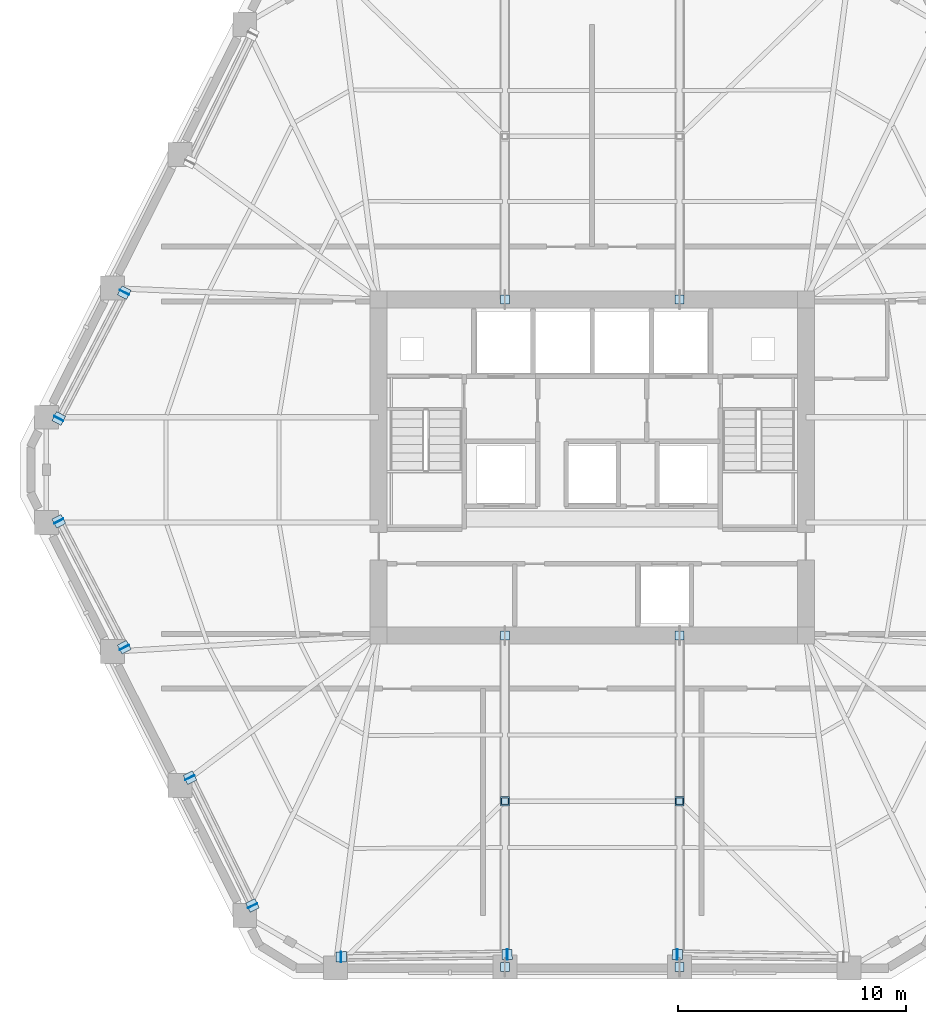
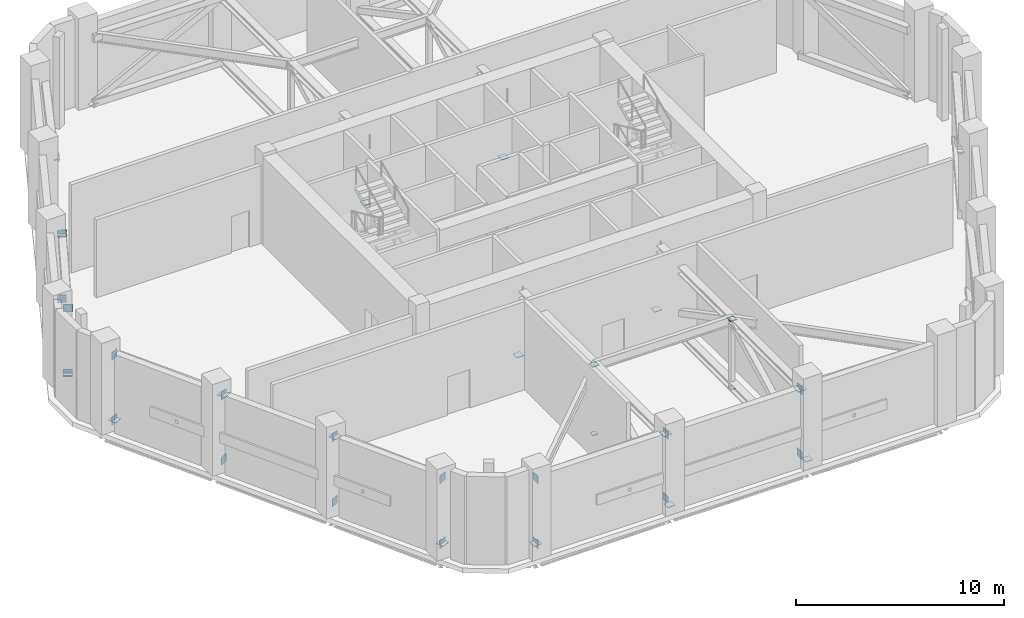
# One storey, part 7 of 15: 39 plates.
"""IFC4 building model written with IfcOpenShell, lengths in metres."""

from ifc_helpers import new_model, si_unit, direction, frame, origin, origin_2d, place, context, subcontext, project, spatial, rectangle, extrude, material, layer, layer_set, type_object, element, save


model = new_model("IFC4")

# Units and contexts
model_context = context("Model", 3, precision=1e-05, world=origin(), true_north=direction((0.0, 1.0)))
body_context = subcontext(model_context, "Body", "Model", "MODEL_VIEW")
ifc_project = project(units=[si_unit("LENGTHUNIT", "METRE"), si_unit("AREAUNIT", "SQUARE_METRE"), si_unit("VOLUMEUNIT", "CUBIC_METRE"), si_unit("PLANEANGLEUNIT", "RADIAN"), si_unit("MASSUNIT", "GRAM", prefix="KILO")], contexts=[model_context])

# Site, building, storey
site_placement = place(None, origin())
site = spatial("IfcSite", under=ifc_project, at=site_placement, CompositionType="ELEMENT")
building_placement = place(site_placement, origin())
building = spatial("IfcBuilding", under=site, at=building_placement, Name="Cinnabar Lancet Tower", CompositionType="ELEMENT")
storey_placement = place(building_placement, frame((0.0, 0.0, 148.10009765625)))
storey = spatial("IfcBuildingStorey", under=building, at=storey_placement, Name="L39", CompositionType="ELEMENT", Elevation=148.10009765625)

# Plates
ifc_material = material(Name="Structural steel S460", Category="steel")
ifc_layer = layer(ifc_material, 0.030029296875)
ifc_layer_set = layer_set([ifc_layer], Name="Structural steel S460")
plate_type = type_object("IfcPlateType", Name="STR-PL-CAP-25", PredefinedType="SHEET", material=ifc_layer_set)
for number, where, z_axis, x_axis, name in (
    (1, (28.568115234375, 11.258056640625, -0.02490234375), (0.0, 0.0, 1.0), (1.0, 0.0, 0.0), "Hollow section end cap plate CP-OTVP-L39-1B"),
    (2, (28.568115234375, 11.258056640625, 4.03466796875), (0.0, 0.0, 1.0), (1.0, 0.0, 0.0), "Hollow section end cap plate CP-OTVP-L39-1T"),
):
    element("IfcPlate", number, at=place(storey_placement, frame(where, z_axis=z_axis, x_axis=x_axis)), inside=storey, type_object=plate_type, Name=name, PredefinedType="SHEET", context=body_context, shape_type="SweptSolid", body=[
        extrude(rectangle(XDim=0.300048828125, YDim=0.300048828125, at=origin_2d()), origin(), (0.0, 0.0, 1.0), 0.030029296875),
    ])
for number, where, z_axis, x_axis, name in (
    (3, (28.568115234375, 18.52490234375, 0.19482421875), (0.0, 0.0, 1.0), (0.0, 1.0, 0.0), "Hollow section end cap plate CP-OTD-L39-1-1A"),
    (4, (28.568115234375, 11.258056640625, 4.03466796875), (0.0, 0.0, 1.0), (0.0, -1.0, 0.0), "Hollow section end cap plate CP-OTD-L39-1-1B"),
    (5, (28.568115234375, 3.991943359375, 0.19482421875), (0.0, 0.0, 1.0), (0.0, -1.0, 0.0), "Hollow section end cap plate CP-OTD-L39-1-2B"),
):
    element("IfcPlate", number, at=place(storey_placement, frame(where, z_axis=z_axis, x_axis=x_axis)), inside=storey, type_object=plate_type, Name=name, PredefinedType="SHEET", context=body_context, shape_type="SweptSolid", body=[
        extrude(rectangle(XDim=0.39990234375, YDim=0.39990234375, at=origin_2d()), origin(), (0.0, 0.0, 1.0), 0.030029296875),
    ])
for number, where, z_axis, x_axis, name in (
    (6, (36.23193359375, 11.258056640625, -0.02490234375), (0.0, 0.0, 1.0), (1.0, 0.0, 0.0), "Hollow section end cap plate CP-OTVP-L39-2B"),
    (7, (36.23193359375, 11.258056640625, 4.03466796875), (0.0, 0.0, 1.0), (1.0, 0.0, 0.0), "Hollow section end cap plate CP-OTVP-L39-2T"),
):
    element("IfcPlate", number, at=place(storey_placement, frame(where, z_axis=z_axis, x_axis=x_axis)), inside=storey, type_object=plate_type, Name=name, PredefinedType="SHEET", context=body_context, shape_type="SweptSolid", body=[
        extrude(rectangle(XDim=0.300048828125, YDim=0.300048828125, at=origin_2d()), origin(), (0.0, 0.0, 1.0), 0.030029296875),
    ])
for number, where, z_axis, x_axis, name in (
    (8, (36.23193359375, 18.52490234375, 0.19482421875), (0.0, 0.0, 1.0), (0.0, 1.0, 0.0), "Hollow section end cap plate CP-OTD-L39-2-1A"),
    (9, (36.23193359375, 11.258056640625, 4.03466796875), (0.0, 0.0, 1.0), (0.0, -1.0, 0.0), "Hollow section end cap plate CP-OTD-L39-2-1B"),
    (10, (36.23193359375, 3.991943359375, 0.19482421875), (0.0, 0.0, 1.0), (0.0, -1.0, 0.0), "Hollow section end cap plate CP-OTD-L39-2-2B"),
    (11, (36.23193359375, 33.27490234375, 0.19482421875), (0.0, 0.0, 1.0), (0.0, -1.0, 0.0), "Hollow section end cap plate CP-OTD-L39-3-1A"),
    (12, (28.568115234375, 33.27490234375, 0.19482421875), (0.0, 0.0, 1.0), (0.0, -1.0, 0.0), "Hollow section end cap plate CP-OTD-L39-4-1A"),
):
    element("IfcPlate", number, at=place(storey_placement, frame(where, z_axis=z_axis, x_axis=x_axis)), inside=storey, type_object=plate_type, Name=name, PredefinedType="SHEET", context=body_context, shape_type="SweptSolid", body=[
        extrude(rectangle(XDim=0.39990234375, YDim=0.39990234375, at=origin_2d()), origin(), (0.0, 0.0, 1.0), 0.030029296875),
    ])
for number, where, z_axis, x_axis, name in (
    (13, (21.375, 4.427978515625, -0.0048828125), (0.0, 0.0, 1.0), (-0.999894062633, -0.014555531948, 0.0), "Hollow section end cap plate CP-BTC-L39-1-1-BC0"),
    (14, (28.6708984375, 4.533935546875, -0.0048828125), (0.0, 0.0, 1.0), (0.999894062633, 0.014555531948, 0.0), "Hollow section end cap plate CP-BTC-L39-1-1-BC1"),
    (15, (21.375, 4.427978515625, 3.81494140625), (0.0, 0.0, 1.0), (-0.999894062633, -0.014555531948, 0.0), "Hollow section end cap plate CP-BTC-L39-1-1-TC0"),
    (16, (28.6708984375, 4.533935546875, 3.81494140625), (0.0, 0.0, 1.0), (0.999894062633, 0.014555531948, 0.0), "Hollow section end cap plate CP-BTC-L39-1-1-TC1"),
):
    element("IfcPlate", number, at=place(storey_placement, frame(where, z_axis=z_axis, x_axis=x_axis)), inside=storey, type_object=plate_type, Name=name, PredefinedType="SHEET", context=body_context, shape_type="SweptSolid", body=[
        extrude(rectangle(XDim=0.030029296875, YDim=0.449951171875, at=origin_2d()), origin(), (0.0, 0.0, 1.0), 0.449951171875),
    ])
for number, where, z_axis, x_axis, name in (
    (17, (21.383056640625, 4.427978515625, 0.19482421875), (0.0, 0.0, 1.0), (-0.999894062633, -0.014555531948, 0.0), "Hollow section end cap plate CP-BTD-L39-1-1-0"),
    (18, (28.6630859375, 4.533935546875, 4.03466796875), (0.0, 0.0, 1.0), (0.999894062633, 0.014555531948, 0.0), "Hollow section end cap plate CP-BTD-L39-1-1-1"),
):
    element("IfcPlate", number, at=place(storey_placement, frame(where, z_axis=z_axis, x_axis=x_axis)), inside=storey, type_object=plate_type, Name=name, PredefinedType="SHEET", context=body_context, shape_type="SweptSolid", body=[
        extrude(rectangle(XDim=0.449951171875, YDim=0.449951171875, at=origin_2d()), origin(), (0.0, 0.0, 1.0), 0.030029296875),
    ])
for number, where, z_axis, x_axis, name in (
    (19, (36.12890625, 4.533935546875, -0.0048828125), (0.0, 0.0, 1.0), (-0.999894062633, 0.014555531948, 0.0), "Hollow section end cap plate CP-BTC-L39-1-3-BC0"),
    (20, (36.12890625, 4.533935546875, 3.81494140625), (0.0, 0.0, 1.0), (-0.999894062633, 0.014555531948, 0.0), "Hollow section end cap plate CP-BTC-L39-1-3-TC0"),
):
    element("IfcPlate", number, at=place(storey_placement, frame(where, z_axis=z_axis, x_axis=x_axis)), inside=storey, type_object=plate_type, Name=name, PredefinedType="SHEET", context=body_context, shape_type="SweptSolid", body=[
        extrude(rectangle(XDim=0.030029296875, YDim=0.449951171875, at=origin_2d()), origin(), (0.0, 0.0, 1.0), 0.449951171875),
    ])
plate_placement = place(storey_placement, frame((36.136962890625, 4.533935546875, 4.03466796875), z_axis=(0.0, 0.0, 1.0), x_axis=(-0.999894062633, 0.014555531948, 0.0)))
element("IfcPlate", 21, at=plate_placement, inside=storey, type_object=plate_type, Name="Hollow section end cap plate CP-BTD-L39-1-3-0", PredefinedType="SHEET", context=body_context, shape_type="SweptSolid", body=[
    extrude(rectangle(XDim=0.449951171875, YDim=0.449951171875, at=origin_2d()), origin(), (0.0, 0.0, 1.0), 0.030029296875),
])
for number, where, z_axis, x_axis, name in (
    (22, (11.865966796875, 33.587890625, -0.0048828125), (0.0, 0.0, 1.0), (0.461222169142, 0.88728468413, 0.0), "Hollow section end cap plate CP-BTC-L39-5-3-BC0"),
    (23, (8.986083984375, 28.049072265625, -0.0048828125), (0.0, 0.0, 1.0), (-0.461222169142, -0.88728468413, 0.0), "Hollow section end cap plate CP-BTC-L39-5-3-BC1"),
    (24, (11.865966796875, 33.587890625, 3.81494140625), (0.0, 0.0, 1.0), (0.461222169142, 0.88728468413, 0.0), "Hollow section end cap plate CP-BTC-L39-5-3-TC0"),
    (25, (8.986083984375, 28.049072265625, 3.81494140625), (0.0, 0.0, 1.0), (-0.461222169142, -0.88728468413, 0.0), "Hollow section end cap plate CP-BTC-L39-5-3-TC1"),
):
    element("IfcPlate", number, at=place(storey_placement, frame(where, z_axis=z_axis, x_axis=x_axis)), inside=storey, type_object=plate_type, Name=name, PredefinedType="SHEET", context=body_context, shape_type="SweptSolid", body=[
        extrude(rectangle(XDim=0.030029296875, YDim=0.449951171875, at=origin_2d()), origin(), (0.0, 0.0, 1.0), 0.449951171875),
    ])
for number, where, z_axis, x_axis, name in (
    (26, (11.862060546875, 33.5810546875, 4.03466796875), (0.0, 0.0, 1.0), (0.461222169142, 0.88728468413, 0.0), "Hollow section end cap plate CP-BTD-L39-5-3-0"),
    (27, (8.989990234375, 28.055908203125, 0.19482421875), (0.0, 0.0, 1.0), (-0.461222169142, -0.88728468413, 0.0), "Hollow section end cap plate CP-BTD-L39-5-3-1"),
):
    element("IfcPlate", number, at=place(storey_placement, frame(where, z_axis=z_axis, x_axis=x_axis)), inside=storey, type_object=plate_type, Name=name, PredefinedType="SHEET", context=body_context, shape_type="SweptSolid", body=[
        extrude(rectangle(XDim=0.449951171875, YDim=0.449951171875, at=origin_2d()), origin(), (0.0, 0.0, 1.0), 0.030029296875),
    ])
for number, where, z_axis, x_axis, name in (
    (28, (8.986083984375, 23.551025390625, -0.0048828125), (0.0, 0.0, 1.0), (-0.461222169142, 0.88728468413, 0.0), "Hollow section end cap plate CP-BTC-L39-6-1-BC0"),
    (29, (11.865966796875, 18.011962890625, -0.0048828125), (0.0, 0.0, 1.0), (0.461222169142, -0.88728468413, 0.0), "Hollow section end cap plate CP-BTC-L39-6-1-BC1"),
    (30, (8.986083984375, 23.551025390625, 3.81494140625), (0.0, 0.0, 1.0), (-0.461222169142, 0.88728468413, 0.0), "Hollow section end cap plate CP-BTC-L39-6-1-TC0"),
    (31, (11.865966796875, 18.011962890625, 3.81494140625), (0.0, 0.0, 1.0), (0.461222169142, -0.88728468413, 0.0), "Hollow section end cap plate CP-BTC-L39-6-1-TC1"),
):
    element("IfcPlate", number, at=place(storey_placement, frame(where, z_axis=z_axis, x_axis=x_axis)), inside=storey, type_object=plate_type, Name=name, PredefinedType="SHEET", context=body_context, shape_type="SweptSolid", body=[
        extrude(rectangle(XDim=0.030029296875, YDim=0.449951171875, at=origin_2d()), origin(), (0.0, 0.0, 1.0), 0.449951171875),
    ])
for number, where, z_axis, x_axis, name in (
    (32, (8.989990234375, 23.5439453125, 0.19482421875), (0.0, 0.0, 1.0), (-0.461222169142, 0.88728468413, 0.0), "Hollow section end cap plate CP-BTD-L39-6-1-0"),
    (33, (11.862060546875, 18.01904296875, 4.03466796875), (0.0, 0.0, 1.0), (0.461222169142, -0.88728468413, 0.0), "Hollow section end cap plate CP-BTD-L39-6-1-1"),
):
    element("IfcPlate", number, at=place(storey_placement, frame(where, z_axis=z_axis, x_axis=x_axis)), inside=storey, type_object=plate_type, Name=name, PredefinedType="SHEET", context=body_context, shape_type="SweptSolid", body=[
        extrude(rectangle(XDim=0.449951171875, YDim=0.449951171875, at=origin_2d()), origin(), (0.0, 0.0, 1.0), 0.030029296875),
    ])
for number, where, z_axis, x_axis, name in (
    (34, (14.743896484375, 12.2958984375, -0.0048828125), (0.0, 0.0, 1.0), (-0.439061241737, 0.898457136431, 0.0), "Hollow section end cap plate CP-BTC-L39-6-3-BC0"),
    (35, (17.492919921875, 6.673095703125, -0.0048828125), (0.0, 0.0, 1.0), (0.439061241737, -0.898457136431, 0.0), "Hollow section end cap plate CP-BTC-L39-6-3-BC1"),
    (36, (14.743896484375, 12.2958984375, 3.81494140625), (0.0, 0.0, 1.0), (-0.439061241737, 0.898457136431, 0.0), "Hollow section end cap plate CP-BTC-L39-6-3-TC0"),
    (37, (17.492919921875, 6.673095703125, 3.81494140625), (0.0, 0.0, 1.0), (0.439061241737, -0.898457136431, 0.0), "Hollow section end cap plate CP-BTC-L39-6-3-TC1"),
):
    element("IfcPlate", number, at=place(storey_placement, frame(where, z_axis=z_axis, x_axis=x_axis)), inside=storey, type_object=plate_type, Name=name, PredefinedType="SHEET", context=body_context, shape_type="SweptSolid", body=[
        extrude(rectangle(XDim=0.030029296875, YDim=0.449951171875, at=origin_2d()), origin(), (0.0, 0.0, 1.0), 0.449951171875),
    ])
for number, where, z_axis, x_axis, name in (
    (38, (14.748046875, 12.2890625, 4.03466796875), (0.0, 0.0, 1.0), (-0.439061241737, 0.898457136431, 0.0), "Hollow section end cap plate CP-BTD-L39-6-3-0"),
    (39, (17.489013671875, 6.679931640625, 0.19482421875), (0.0, 0.0, 1.0), (0.439061241737, -0.898457136431, 0.0), "Hollow section end cap plate CP-BTD-L39-6-3-1"),
):
    element("IfcPlate", number, at=place(storey_placement, frame(where, z_axis=z_axis, x_axis=x_axis)), inside=storey, type_object=plate_type, Name=name, PredefinedType="SHEET", context=body_context, shape_type="SweptSolid", body=[
        extrude(rectangle(XDim=0.449951171875, YDim=0.449951171875, at=origin_2d()), origin(), (0.0, 0.0, 1.0), 0.030029296875),
    ])

save(model, "model.ifc")
